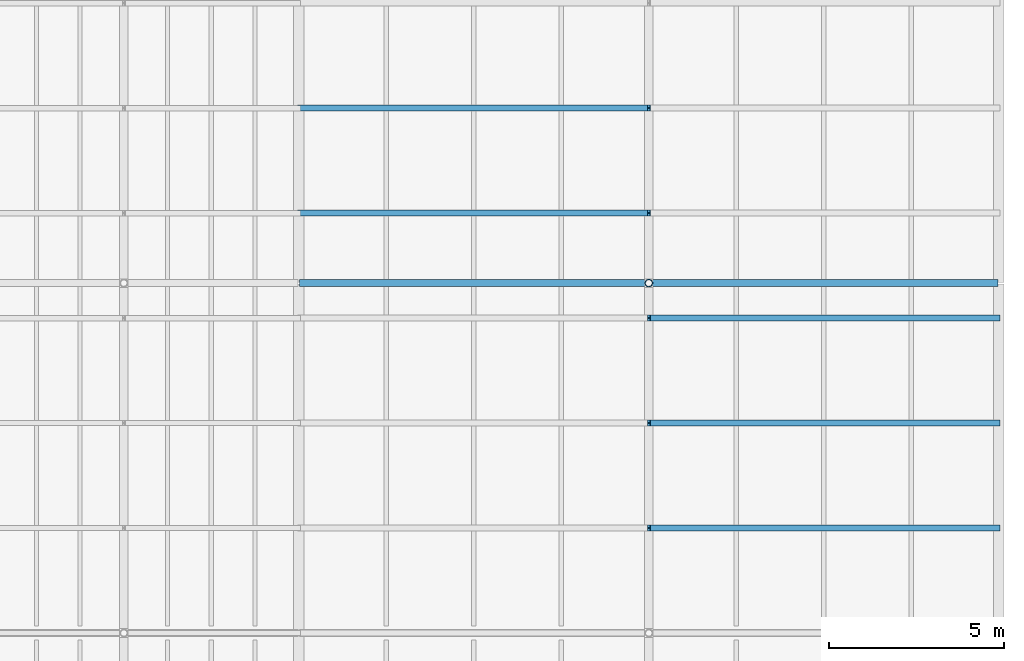
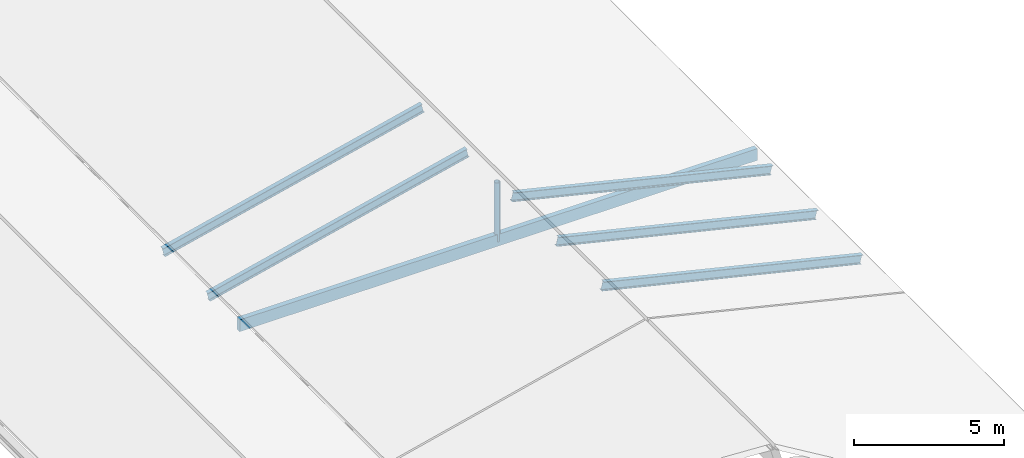
# One storey, part 68 of 90: 6 members, 1 beam.
"""IFC4 building model written with IfcOpenShell, lengths in metres."""

from ifc_helpers import new_model, si_unit, direction, frame, origin, origin_2d, place, context, subcontext, project, spatial, rectangle, hollow_circle, i_section, extrude, material, material_profile, profile_set, type_object, element, save


model = new_model("IFC4")

# Units and contexts
model_context = context("Model", 3, precision=1e-05, world=origin(), true_north=direction((0.0, 1.0)))
body_context = subcontext(model_context, "Body", "Model", "MODEL_VIEW")
ifc_project = project(units=[si_unit("LENGTHUNIT", "METRE"), si_unit("AREAUNIT", "SQUARE_METRE"), si_unit("VOLUMEUNIT", "CUBIC_METRE"), si_unit("PLANEANGLEUNIT", "RADIAN"), si_unit("MASSUNIT", "GRAM", prefix="KILO"), si_unit("THERMODYNAMICTEMPERATUREUNIT", "KELVIN"), si_unit("POWERUNIT", "WATT")], contexts=[model_context])

# Site, building, storey
site_placement = place(None, origin())
site = spatial("IfcSite", under=ifc_project, at=site_placement, CompositionType="ELEMENT")
building_placement = place(site_placement, origin())
building = spatial("IfcBuilding", under=site, at=building_placement, Name="Korenveer Ferry Terminal", CompositionType="ELEMENT")
storey_placement = place(building_placement, frame((0.0, 0.0, 22.199951171875)))
storey = spatial("IfcBuildingStorey", under=building, at=storey_placement, Name="RF", CompositionType="ELEMENT", Elevation=22.199951171875)

# Members
ifc_material_1 = material(Name="Steel S355", Category="steel")
ifc_material_profile_1 = material_profile(ifc_material_1, i_section(OverallWidth=0.169921875, OverallDepth=0.360107421875, WebThickness=0.008056640625, FlangeThickness=0.0126953125, FilletRadius=0.01806640625, at=origin_2d()), Name="IPE 360")
ifc_profile_set_1 = profile_set([ifc_material_profile_1], Name="Steel S355")
member_type_1 = type_object("IfcMemberType", Name="STR-RAF-IPE360", PredefinedType="RAFTER", material=ifc_profile_set_1)
for number, where, z_axis, x_axis, name in (
    (1, (166.0, 53.0, -5.219970703125), (0.972389456854, 0.0, -0.233363973654), (0.0, 1.0, 0.0), "Pitched roof rafter 24"),
    (2, (166.0, 56.0, -5.219970703125), (0.972389456854, 0.0, -0.233363973654), (0.0, 1.0, 0.0), "Pitched roof rafter 26"),
    (3, (166.0, 59.0, -5.219970703125), (0.972389456854, 0.0, -0.233363973654), (0.0, 1.0, 0.0), "Pitched roof rafter 28"),
    (4, (156.0, 62.0, -7.619873046875), (0.972389456854, 0.0, 0.233363973654), (0.0, 1.0, 0.0), "Pitched roof rafter 29"),
    (5, (156.0, 65.0, -7.619873046875), (0.972389456854, 0.0, 0.233363973654), (0.0, 1.0, 0.0), "Pitched roof rafter 31"),
):
    element("IfcMember", number, at=place(storey_placement, frame(where, z_axis=z_axis, x_axis=x_axis)), inside=storey, type_object=member_type_1, Name=name, PredefinedType="RAFTER", context=body_context, shape_type="SweptSolid", body=[
        extrude(i_section(OverallWidth=0.169921875, OverallDepth=0.360107421875, WebThickness=0.008056640625, FlangeThickness=0.0126953125, FilletRadius=0.01806640625, at=origin_2d()), origin(), (0.0, 0.0, 1.0), 10.283935546875),
    ])

# Beam
ifc_material_2 = material(Name="Glulam GL28h", Category="wood")
ifc_material_profile_2 = material_profile(ifc_material_2, rectangle(XDim=0.199951171875, YDim=0.47998046875, at=origin_2d()), Name="GL 200x480")
ifc_profile_set_2 = profile_set([ifc_material_profile_2], Name="Glulam GL28h")
beam_type = type_object("IfcBeamType", Name="STR-RFG-GL200", PredefinedType="USERDEFINED", material=ifc_profile_set_2)
beam_placement = place(storey_placement, frame((156.02001953125, 60.0, -7.56005859375), z_axis=(1.0, 0.0, 0.0), x_axis=(0.0, 1.0, 0.0)))
element("IfcBeam", 6, at=beam_placement, inside=storey, type_object=beam_type, Name="Wing roof collar tie EAST 155", ObjectType="ROOF GIRDER", PredefinedType="USERDEFINED", context=body_context, shape_type="SweptSolid", body=[
    extrude(rectangle(XDim=0.199951171875, YDim=0.47998046875, at=origin_2d()), origin(), (0.0, 0.0, 1.0), 19.9599609375),
])

# Member
ifc_material_profile_3 = material_profile(ifc_material_1, hollow_circle(Radius=0.109619140625, WallThickness=0.012451171875, at=origin_2d()), Name="CHS 219.1x12.5")
ifc_profile_set_3 = profile_set([ifc_material_profile_3], Name="Steel S355")
member_type_2 = type_object("IfcMemberType", Name="STR-STT-CHS219", PredefinedType="STRUT", material=ifc_profile_set_3)
member_placement = place(storey_placement, frame((166.0, 60.0, -7.619873046875), z_axis=(0.0, 0.0, 1.0), x_axis=(1.0, 0.0, 0.0)))
element("IfcMember", 7, at=member_placement, inside=storey, type_object=member_type_2, Name="Wing ridge strut STTWR-EAST-Y60", PredefinedType="STRUT", context=body_context, shape_type="SweptSolid", body=[
    extrude(hollow_circle(Radius=0.109619140625, WallThickness=0.012451171875, at=origin_2d()), origin(), (0.0, 0.0, 1.0), 2.39990234375),
])

save(model, "model.ifc")
